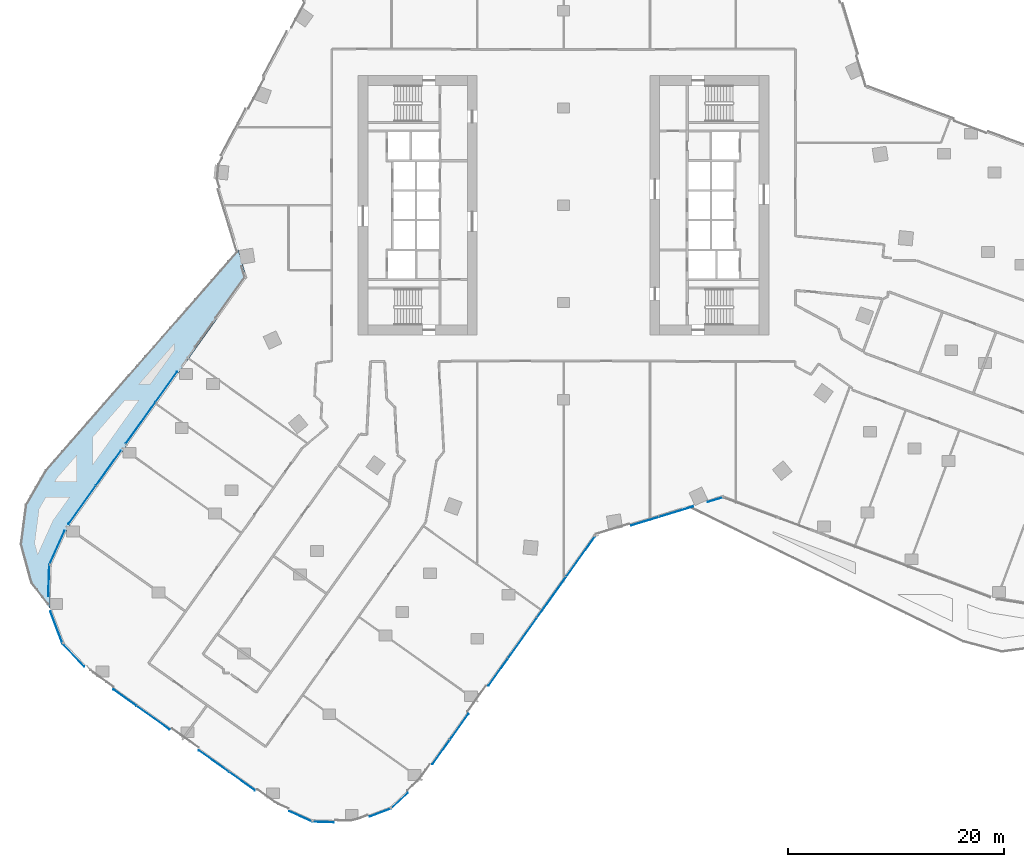
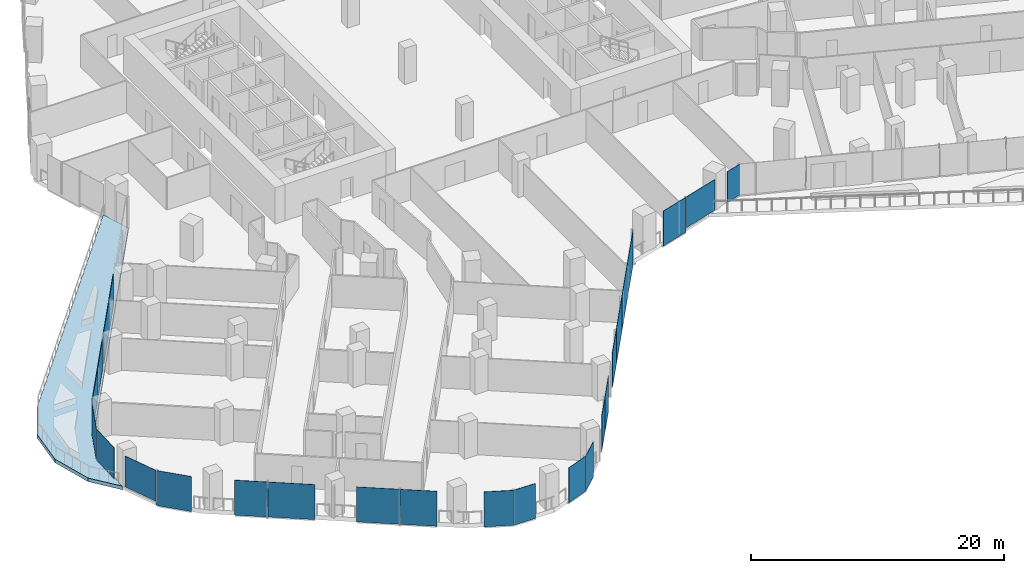
# One storey, part 16 of 30: 25 plates, 1 slab, 12 elements without a shape of their own.
"""IFC4 building model written with IfcOpenShell, lengths in metres."""

from ifc_helpers import new_model, si_unit, direction, frame, origin, origin_2d, place, context, subcontext, project, spatial, polyline, rectangle, outline, extrude, material, layer, layer_set, type_object, element, aggregate, save


model = new_model("IFC4")

# Units and contexts
model_context = context("Model", 3, precision=1e-05, world=origin(), true_north=direction((0.0, 1.0)))
body_context = subcontext(model_context, "Body", "Model", "MODEL_VIEW")
ifc_project = project(units=[si_unit("LENGTHUNIT", "METRE"), si_unit("AREAUNIT", "SQUARE_METRE"), si_unit("VOLUMEUNIT", "CUBIC_METRE"), si_unit("PLANEANGLEUNIT", "RADIAN"), si_unit("MASSUNIT", "GRAM", prefix="KILO")], contexts=[model_context])

# Site, building, storey
site_placement = place(None, origin())
site = spatial("IfcSite", under=ifc_project, at=site_placement, CompositionType="ELEMENT")
building_placement = place(site_placement, origin())
building = spatial("IfcBuilding", under=site, at=building_placement, Name="Orlundy Tower", CompositionType="ELEMENT")
storey_placement = place(building_placement, frame((0.0, 0.0, 80.699951171875)))
storey = spatial("IfcBuildingStorey", under=building, at=storey_placement, Name="L19", CompositionType="ELEMENT", Elevation=80.699951171875)

# Curtain wall, plates
ifc_material_1 = material(Name="Aluminium bronze anodised", Category="aluminium")
curtain_wall_type = type_object("IfcCurtainWallType", Name="CW1 wall", PredefinedType="NOTDEFINED", material=ifc_material_1)
curtain_wall_1_placement = place(storey_placement, origin())
curtain_wall_1 = element("IfcCurtainWall", 1, at=curtain_wall_1_placement, inside=storey, type_object=curtain_wall_type, Name="CW1 run 00", PredefinedType="NOTDEFINED")
ifc_material_2 = material(Name="Tinted glass", Category="glass")
ifc_layer_1 = layer(ifc_material_2, 0.031982421875)
ifc_layer_set_1 = layer_set([ifc_layer_1], Name="CW1 glass panel 32")
plate_type = type_object("IfcPlateType", Name="CW1 glass panel 32", PredefinedType="CURTAIN_PANEL", material=ifc_layer_set_1)
plate_1_placement = place(storey_placement, frame((-44.547119140625, -27.729736328125, 0.1201171875), z_axis=(0.0, 0.0, 1.0), x_axis=(0.580700988829, 0.814116921316, 0.0)))
plate_1 = element("IfcPlate", 2, at=plate_1_placement, type_object=plate_type, Name="CW1 panel", PredefinedType="CURTAIN_PANEL", context=body_context, shape_type="SweptSolid", body=[
    extrude(rectangle(XDim=4.3486328125, YDim=0.031982421875, at=origin_2d()), origin(), (0.0, 0.0, 1.0), 2.97998046875),
])
plate_2_placement = place(storey_placement, frame((-42.10986328125, -24.312744140625, 0.1201171875), z_axis=(0.0, 0.0, 1.0), x_axis=(0.580700988829, 0.814116921316, 0.0)))
plate_2 = element("IfcPlate", 3, at=plate_2_placement, type_object=plate_type, Name="CW1 panel", PredefinedType="CURTAIN_PANEL", context=body_context, shape_type="SweptSolid", body=[
    extrude(rectangle(XDim=3.946044921875, YDim=0.031982421875, at=origin_2d()), origin(), (0.0, 0.0, 1.0), 2.97998046875),
])
plate_3_placement = place(storey_placement, frame((-39.127685546875, -20.132080078125, 0.1201171875), z_axis=(0.0, 0.0, 1.0), x_axis=(0.580700988829, 0.814116921316, 0.0)))
plate_3 = element("IfcPlate", 4, at=plate_3_placement, type_object=plate_type, Name="CW1 panel", PredefinedType="CURTAIN_PANEL", context=body_context, shape_type="SweptSolid", body=[
    extrude(rectangle(XDim=4.70556640625, YDim=0.031982421875, at=origin_2d()), origin(), (0.0, 0.0, 1.0), 2.97998046875),
])
plate_4_placement = place(storey_placement, frame((-36.74462890625, -16.791015625, 0.1201171875), z_axis=(0.0, 0.0, 1.0), x_axis=(0.580700988829, 0.814116921316, 0.0)))
plate_4 = element("IfcPlate", 5, at=plate_4_placement, type_object=plate_type, Name="CW1 panel", PredefinedType="CURTAIN_PANEL", context=body_context, shape_type="SweptSolid", body=[
    extrude(rectangle(XDim=3.40185546875, YDim=0.031982421875, at=origin_2d()), origin(), (0.0, 0.0, 1.0), 2.97998046875),
])
aggregate(curtain_wall_1, [plate_1, plate_2, plate_3, plate_4])

curtain_wall_2_placement = place(storey_placement, origin())
curtain_wall_2 = element("IfcCurtainWall", 6, at=curtain_wall_2_placement, inside=storey, type_object=curtain_wall_type, Name="CW1 run 017", PredefinedType="NOTDEFINED")
plate_5_placement = place(storey_placement, frame((14.0458984375, -27.248291015625, 0.1201171875), z_axis=(0.0, 0.0, 1.0), x_axis=(-0.956321102205, -0.292318233228, 0.0)))
plate_5 = element("IfcPlate", 7, at=plate_5_placement, type_object=plate_type, Name="CW1 panel", PredefinedType="CURTAIN_PANEL", context=body_context, shape_type="SweptSolid", body=[
    extrude(rectangle(XDim=1.44482421875, YDim=0.031982421875, at=origin_2d()), origin(), (0.0, 0.0, 1.0), 2.97998046875),
])
plate_6_placement = place(storey_placement, frame((10.412353515625, -28.35888671875, 0.1201171875), z_axis=(0.0, 0.0, 1.0), x_axis=(-0.956321102205, -0.292318233228, 0.0)))
plate_6 = element("IfcPlate", 8, at=plate_6_placement, type_object=plate_type, Name="CW1 panel", PredefinedType="CURTAIN_PANEL", context=body_context, shape_type="SweptSolid", body=[
    extrude(rectangle(XDim=3.281494140625, YDim=0.031982421875, at=origin_2d()), origin(), (0.0, 0.0, 1.0), 2.97998046875),
])
plate_7_placement = place(storey_placement, frame((7.53125, -29.239501953125, -0.27978515625), z_axis=(0.0, 0.0, 1.0), x_axis=(-0.956321102205, -0.292318233228, 0.0)))
plate_7 = element("IfcPlate", 9, at=plate_7_placement, type_object=plate_type, Name="CW1 panel", PredefinedType="CURTAIN_PANEL", context=body_context, shape_type="SweptSolid", body=[
    extrude(rectangle(XDim=2.643798828125, YDim=0.031982421875, at=origin_2d()), origin(), (0.0, 0.0, 1.0), 3.3798828125),
])
aggregate(curtain_wall_2, [plate_5, plate_6, plate_7])

curtain_wall_3_placement = place(storey_placement, origin())
curtain_wall_3 = element("IfcCurtainWall", 10, at=curtain_wall_3_placement, inside=storey, type_object=curtain_wall_type, Name="CW1 run 018", PredefinedType="NOTDEFINED")
plate_8_placement = place(storey_placement, frame((1.5810546875, -32.5068359375, -0.27978515625), z_axis=(0.0, 0.0, 1.0), x_axis=(-0.580710369629, -0.814110230009, 0.0)))
plate_8 = element("IfcPlate", 11, at=plate_8_placement, type_object=plate_type, Name="CW1 panel", PredefinedType="CURTAIN_PANEL", context=body_context, shape_type="SweptSolid", body=[
    extrude(rectangle(XDim=4.550048828125, YDim=0.031982421875, at=origin_2d()), origin(), (0.0, 0.0, 1.0), 3.3798828125),
])
plate_9_placement = place(storey_placement, frame((-1.09912109375, -36.26416015625, -0.27978515625), z_axis=(0.0, 0.0, 1.0), x_axis=(-0.580710369629, -0.814110230009, 0.0)))
plate_9 = element("IfcPlate", 12, at=plate_9_placement, type_object=plate_type, Name="CW1 panel", PredefinedType="CURTAIN_PANEL", context=body_context, shape_type="SweptSolid", body=[
    extrude(rectangle(XDim=4.580810546875, YDim=0.031982421875, at=origin_2d()), origin(), (0.0, 0.0, 1.0), 3.3798828125),
])
plate_10_placement = place(storey_placement, frame((-3.788330078125, -40.0341796875, -0.27978515625), z_axis=(0.0, 0.0, 1.0), x_axis=(-0.580710369629, -0.814110230009, 0.0)))
plate_10 = element("IfcPlate", 13, at=plate_10_placement, type_object=plate_type, Name="CW1 panel", PredefinedType="CURTAIN_PANEL", context=body_context, shape_type="SweptSolid", body=[
    extrude(rectangle(XDim=4.580810546875, YDim=0.031982421875, at=origin_2d()), origin(), (0.0, 0.0, 1.0), 3.3798828125),
])
plate_11_placement = place(storey_placement, frame((-6.044189453125, -43.19677734375, -0.27978515625), z_axis=(0.0, 0.0, 1.0), x_axis=(-0.580710369629, -0.814110230009, 0.0)))
plate_11 = element("IfcPlate", 14, at=plate_11_placement, type_object=plate_type, Name="CW1 panel", PredefinedType="CURTAIN_PANEL", context=body_context, shape_type="SweptSolid", body=[
    extrude(rectangle(XDim=3.08837890625, YDim=0.031982421875, at=origin_2d()), origin(), (0.0, 0.0, 1.0), 3.3798828125),
])
plate_12_placement = place(storey_placement, frame((-9.650390625, -48.25244140625, -0.27978515625), z_axis=(0.0, 0.0, 1.0), x_axis=(-0.580710369629, -0.814110230009, 0.0)))
plate_12 = element("IfcPlate", 15, at=plate_12_placement, type_object=plate_type, Name="CW1 panel", PredefinedType="CURTAIN_PANEL", context=body_context, shape_type="SweptSolid", body=[
    extrude(rectangle(XDim=2.914794921875, YDim=0.031982421875, at=origin_2d()), origin(), (0.0, 0.0, 1.0), 3.3798828125),
])
plate_13_placement = place(storey_placement, frame((-11.32568359375, -50.600830078125, -0.27978515625), z_axis=(0.0, 0.0, 1.0), x_axis=(-0.580710369629, -0.814110230009, 0.0)))
plate_13 = element("IfcPlate", 16, at=plate_13_placement, type_object=plate_type, Name="CW1 panel", PredefinedType="CURTAIN_PANEL", context=body_context, shape_type="SweptSolid", body=[
    extrude(rectangle(XDim=2.75439453125, YDim=0.031982421875, at=origin_2d()), origin(), (0.0, 0.0, 1.0), 3.3798828125),
])
aggregate(curtain_wall_3, [plate_8, plate_9, plate_10, plate_11, plate_12, plate_13])

# Curtain wall, plate
curtain_wall_4_placement = place(storey_placement, origin())
curtain_wall_4 = element("IfcCurtainWall", 17, at=curtain_wall_4_placement, inside=storey, type_object=curtain_wall_type, Name="CW1 run 019", PredefinedType="NOTDEFINED")
plate_14_placement = place(storey_placement, frame((-15.18603515625, -55.102294921875, -0.27978515625), z_axis=(0.0, 0.0, 1.0), x_axis=(-0.72823167665, -0.685331033241, 0.0)))
plate_14 = element("IfcPlate", 18, at=plate_14_placement, type_object=plate_type, Name="CW1 panel", PredefinedType="CURTAIN_PANEL", context=body_context, shape_type="SweptSolid", body=[
    extrude(rectangle(XDim=2.08251953125, YDim=0.031982421875, at=origin_2d()), origin(), (0.0, 0.0, 1.0), 3.3798828125),
])
aggregate(curtain_wall_4, [plate_14])

curtain_wall_5_placement = place(storey_placement, origin())
curtain_wall_5 = element("IfcCurtainWall", 19, at=curtain_wall_5_placement, inside=storey, type_object=curtain_wall_type, Name="CW1 run 020", PredefinedType="NOTDEFINED")
plate_15_placement = place(storey_placement, frame((-16.937255859375, -56.19189453125, -0.27978515625), z_axis=(0.0, 0.0, 1.0), x_axis=(-0.935182458523, -0.354166301715, 0.0)))
plate_15 = element("IfcPlate", 20, at=plate_15_placement, type_object=plate_type, Name="CW1 panel", PredefinedType="CURTAIN_PANEL", context=body_context, shape_type="SweptSolid", body=[
    extrude(rectangle(XDim=2.123291015625, YDim=0.031982421875, at=origin_2d()), origin(), (0.0, 0.0, 1.0), 3.3798828125),
])
aggregate(curtain_wall_5, [plate_15])

curtain_wall_6_placement = place(storey_placement, origin())
curtain_wall_6 = element("IfcCurtainWall", 21, at=curtain_wall_6_placement, inside=storey, type_object=curtain_wall_type, Name="CW1 run 021", PredefinedType="NOTDEFINED")
plate_16_placement = place(storey_placement, frame((-22.25537109375, -57.067138671875, -0.27978515625), z_axis=(0.0, 0.0, 1.0), x_axis=(-0.999535219812, 0.030485149754, 0.0)))
plate_16 = element("IfcPlate", 22, at=plate_16_placement, type_object=plate_type, Name="CW1 panel", PredefinedType="CURTAIN_PANEL", context=body_context, shape_type="SweptSolid", body=[
    extrude(rectangle(XDim=1.9755859375, YDim=0.031982421875, at=origin_2d()), origin(), (0.0, 0.0, 1.0), 3.3798828125),
])
aggregate(curtain_wall_6, [plate_16])

curtain_wall_7_placement = place(storey_placement, origin())
curtain_wall_7 = element("IfcCurtainWall", 23, at=curtain_wall_7_placement, inside=storey, type_object=curtain_wall_type, Name="CW1 run 022", PredefinedType="NOTDEFINED")
plate_17_placement = place(storey_placement, frame((-24.31396484375, -56.553955078125, -0.27978515625), z_axis=(0.0, 0.0, 1.0), x_axis=(-0.911673970719, 0.410914311157, 0.0)))
plate_17 = element("IfcPlate", 24, at=plate_17_placement, type_object=plate_type, Name="CW1 panel", PredefinedType="CURTAIN_PANEL", context=body_context, shape_type="SweptSolid", body=[
    extrude(rectangle(XDim=2.35009765625, YDim=0.031982421875, at=origin_2d()), origin(), (0.0, 0.0, 1.0), 3.3798828125),
])
aggregate(curtain_wall_7, [plate_17])

# Curtain wall, plates
curtain_wall_8_placement = place(storey_placement, origin())
curtain_wall_8 = element("IfcCurtainWall", 25, at=curtain_wall_8_placement, inside=storey, type_object=curtain_wall_type, Name="CW1 run 023", PredefinedType="NOTDEFINED")
plate_18_placement = place(storey_placement, frame((-29.74658203125, -53.296875, -0.27978515625), z_axis=(0.0, 0.0, 1.0), x_axis=(-0.814141892545, 0.580665978686, 0.0)))
plate_18 = element("IfcPlate", 26, at=plate_18_placement, type_object=plate_type, Name="CW1 panel", PredefinedType="CURTAIN_PANEL", context=body_context, shape_type="SweptSolid", body=[
    extrude(rectangle(XDim=2.91455078125, YDim=0.031982421875, at=origin_2d()), origin(), (0.0, 0.0, 1.0), 3.3798828125),
])
plate_19_placement = place(storey_placement, frame((-32.362548828125, -51.43115234375, -0.27978515625), z_axis=(0.0, 0.0, 1.0), x_axis=(-0.814141892545, 0.580665978686, 0.0)))
plate_19 = element("IfcPlate", 27, at=plate_19_placement, type_object=plate_type, Name="CW1 panel", PredefinedType="CURTAIN_PANEL", context=body_context, shape_type="SweptSolid", body=[
    extrude(rectangle(XDim=3.4111328125, YDim=0.031982421875, at=origin_2d()), origin(), (0.0, 0.0, 1.0), 3.3798828125),
])
plate_20_placement = place(storey_placement, frame((-37.97021484375, -47.431640625, -0.27978515625), z_axis=(0.0, 0.0, 1.0), x_axis=(-0.814141892545, 0.580665978686, 0.0)))
plate_20 = element("IfcPlate", 28, at=plate_20_placement, type_object=plate_type, Name="CW1 panel", PredefinedType="CURTAIN_PANEL", context=body_context, shape_type="SweptSolid", body=[
    extrude(rectangle(XDim=3.712890625, YDim=0.031982421875, at=origin_2d()), origin(), (0.0, 0.0, 1.0), 3.3798828125),
])
plate_21_placement = place(storey_placement, frame((-40.5830078125, -45.568115234375, -0.27978515625), z_axis=(0.0, 0.0, 1.0), x_axis=(-0.814141892545, 0.580665978686, 0.0)))
plate_21 = element("IfcPlate", 29, at=plate_21_placement, type_object=plate_type, Name="CW1 panel", PredefinedType="CURTAIN_PANEL", context=body_context, shape_type="SweptSolid", body=[
    extrude(rectangle(XDim=2.60546875, YDim=0.031982421875, at=origin_2d()), origin(), (0.0, 0.0, 1.0), 3.3798828125),
])
aggregate(curtain_wall_8, [plate_18, plate_19, plate_20, plate_21])

# Curtain wall, plate
curtain_wall_9_placement = place(storey_placement, origin())
curtain_wall_9 = element("IfcCurtainWall", 30, at=curtain_wall_9_placement, inside=storey, type_object=curtain_wall_type, Name="CW1 run 024", PredefinedType="NOTDEFINED")
plate_22_placement = place(storey_placement, frame((-45.361328125, -41.6103515625, -0.27978515625), z_axis=(0.0, 0.0, 1.0), x_axis=(-0.685196388583, 0.728358365828, 0.0)))
plate_22 = element("IfcPlate", 31, at=plate_22_placement, type_object=plate_type, Name="CW1 panel", PredefinedType="CURTAIN_PANEL", context=body_context, shape_type="SweptSolid", body=[
    extrude(rectangle(XDim=2.923583984375, YDim=0.031982421875, at=origin_2d()), origin(), (0.0, 0.0, 1.0), 3.3798828125),
])
aggregate(curtain_wall_9, [plate_22])

curtain_wall_10_placement = place(storey_placement, origin())
curtain_wall_10 = element("IfcCurtainWall", 32, at=curtain_wall_10_placement, inside=storey, type_object=curtain_wall_type, Name="CW1 run 025", PredefinedType="NOTDEFINED")
plate_23_placement = place(storey_placement, frame((-46.92236328125, -39.068359375, 0.1201171875), z_axis=(0.0, 0.0, 1.0), x_axis=(-0.354166301715, 0.935182458523, 0.0)))
plate_23 = element("IfcPlate", 33, at=plate_23_placement, type_object=plate_type, Name="CW1 panel", PredefinedType="CURTAIN_PANEL", context=body_context, shape_type="SweptSolid", body=[
    extrude(rectangle(XDim=3.159423828125, YDim=0.031982421875, at=origin_2d()), origin(), (0.0, 0.0, 1.0), 2.97998046875),
])
aggregate(curtain_wall_10, [plate_23])

curtain_wall_11_placement = place(storey_placement, origin())
curtain_wall_11 = element("IfcCurtainWall", 34, at=curtain_wall_11_placement, inside=storey, type_object=curtain_wall_type, Name="CW1 run 026", PredefinedType="NOTDEFINED")
plate_24_placement = place(storey_placement, frame((-47.62890625, -34.71923828125, 0.1201171875), z_axis=(0.0, 0.0, 1.0), x_axis=(0.030485149754, 0.999535219812, 0.0)))
plate_24 = element("IfcPlate", 35, at=plate_24_placement, type_object=plate_type, Name="CW1 panel", PredefinedType="CURTAIN_PANEL", context=body_context, shape_type="SweptSolid", body=[
    extrude(rectangle(XDim=2.945068359375, YDim=0.031982421875, at=origin_2d()), origin(), (0.0, 0.0, 1.0), 2.97998046875),
])
aggregate(curtain_wall_11, [plate_24])

curtain_wall_12_placement = place(storey_placement, origin())
curtain_wall_12 = element("IfcCurtainWall", 36, at=curtain_wall_12_placement, inside=storey, type_object=curtain_wall_type, Name="CW1 run 027", PredefinedType="NOTDEFINED")
plate_25_placement = place(storey_placement, frame((-46.87744140625, -31.679931640625, 0.1201171875), z_axis=(0.0, 0.0, 1.0), x_axis=(0.410914311157, 0.911673970719, 0.0)))
plate_25 = element("IfcPlate", 37, at=plate_25_placement, type_object=plate_type, Name="CW1 panel", PredefinedType="CURTAIN_PANEL", context=body_context, shape_type="SweptSolid", body=[
    extrude(rectangle(XDim=3.4384765625, YDim=0.031982421875, at=origin_2d()), origin(), (0.0, 0.0, 1.0), 2.97998046875),
])
aggregate(curtain_wall_12, [plate_25])

# Slab
ifc_material_3 = material(Name="Concrete C45/55", Category="concrete")
ifc_layer_2 = layer(ifc_material_3, 0.35009765625)
ifc_layer_set_2 = layer_set([ifc_layer_2], Name="TERRACE SLAB 350 C45/55")
slab_type = type_object("IfcSlabType", Name="TERRACE SLAB 350 C45/55", PredefinedType="ROOF", material=ifc_layer_set_2)
slab_placement = place(storey_placement, frame((0.0, 0.0, -0.349853515625)))
element("IfcSlab", 38, at=slab_placement, inside=storey, type_object=slab_type, Name="Terrace slab L19-3", PredefinedType="ROOF", context=body_context, shape_type="SweptSolid", body=[
    extrude(outline(polyline([(-49.3310546875, -34.94189453125), (-50.2958984375, -31.363037109375), (-49.81689453125, -27.68798828125), (-47.968994140625, -24.47509765625), (-30.1259765625, -4.071044921875), (-29.3291015625, -6.677001953125), (-45.89794921875, -29.906005859375), (-47.4208984375, -33.284912109375), (-47.5419921875, -37.26611328125), (-49.3310546875, -34.94189453125)])), origin(), (0.0, 0.0, 1.0), 0.349853515625),
])

save(model, "model.ifc")
